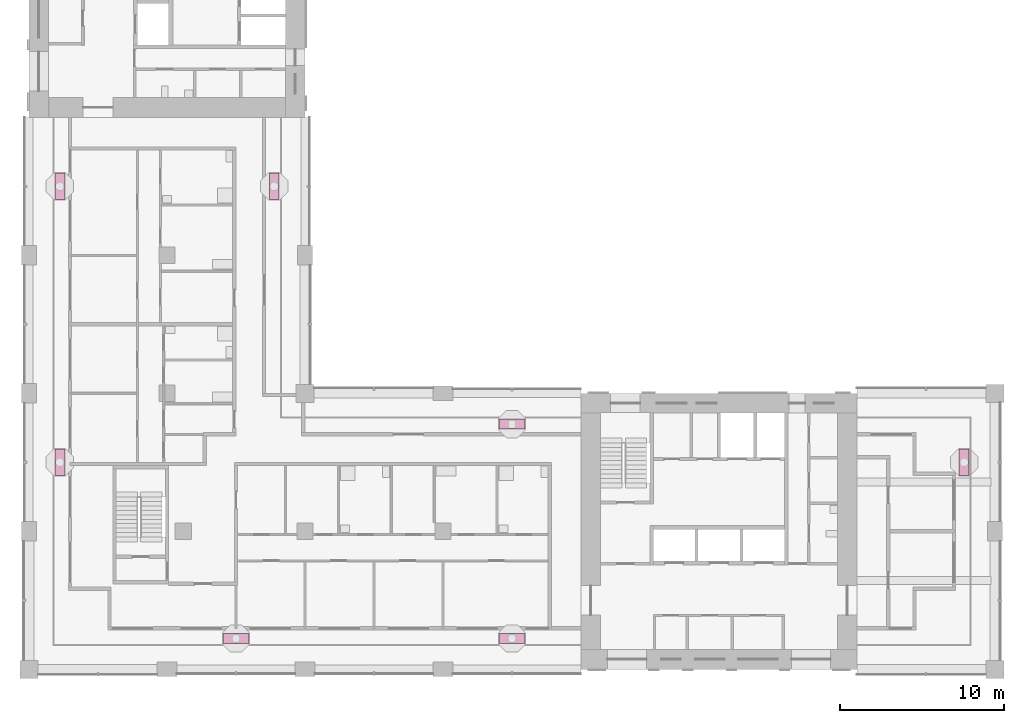
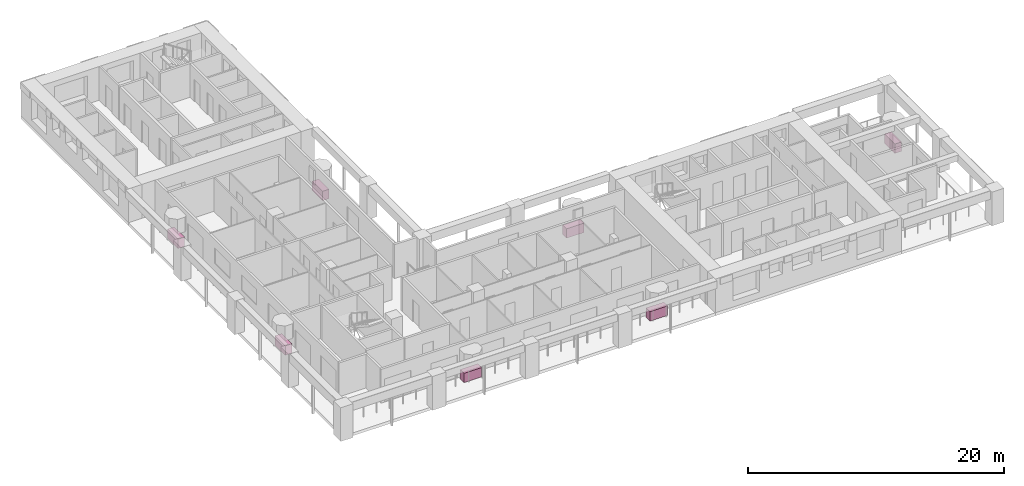
# One storey, part 12 of 13: 7 furniture elements.
"""IFC4 building model written with IfcOpenShell, lengths in metres."""

from ifc_helpers import new_model, si_unit, direction, frame, origin, origin_2d, place, context, subcontext, project, spatial, rectangle, extrude, material, element, save


model = new_model("IFC4")

# Units and contexts
model_context = context("Model", 3, precision=1e-05, world=origin(), true_north=direction((0.0, 1.0)))
body_context = subcontext(model_context, "Body", "Model", "MODEL_VIEW")
ifc_project = project(units=[si_unit("LENGTHUNIT", "METRE"), si_unit("AREAUNIT", "SQUARE_METRE"), si_unit("VOLUMEUNIT", "CUBIC_METRE"), si_unit("PLANEANGLEUNIT", "RADIAN"), si_unit("MASSUNIT", "GRAM", prefix="KILO")], contexts=[model_context])

# Site, building, storey
site_placement = place(None, origin())
site = spatial("IfcSite", under=ifc_project, at=site_placement, CompositionType="ELEMENT")
building_placement = place(site_placement, origin())
building = spatial("IfcBuilding", under=site, at=building_placement, Name="Vermilion Gate Residences", CompositionType="ELEMENT")
storey_placement = place(building_placement, frame((0.0, 0.0, 154.699951171875)))
storey = spatial("IfcBuildingStorey", under=building, at=storey_placement, Name="L39", CompositionType="ELEMENT", Elevation=154.699951171875)

# Furniture
ifc_material = material(Name="Terracotta planter", Category="masonry")
for number, where, z_axis, x_axis, name in (
    (1, (21.0, 10.27490234375, 0.0), (0.0, 0.0, 1.0), (1.0, 0.0, 0.0), "PLANTER"),
    (2, (37.800048828125, 10.27490234375, 0.0), (0.0, 0.0, 1.0), (1.0, 0.0, 0.0), "PLANTER"),
    (3, (65.324951171875, 21.0, 0.0), (0.0, 0.0, 1.0), (0.0, 1.0, 0.0), "PLANTER"),
    (4, (37.800048828125, 23.324951171875, 0.0), (0.0, 0.0, 1.0), (-1.0, 0.0, 0.0), "PLANTER"),
    (5, (23.324951171875, 37.800048828125, 0.0), (0.0, 0.0, 1.0), (0.0, 1.0, 0.0), "PLANTER"),
    (6, (10.27490234375, 21.0, 0.0), (0.0, 0.0, 1.0), (0.0, -1.0, 0.0), "PLANTER"),
    (7, (10.27490234375, 37.800048828125, 0.0), (0.0, 0.0, 1.0), (0.0, -1.0, 0.0), "PLANTER"),
):
    element("IfcFurniture", number, at=place(storey_placement, frame(where, z_axis=z_axis, x_axis=x_axis)), inside=storey, material=ifc_material, Name=name, ObjectType="PLANTER", PredefinedType="USERDEFINED", context=body_context, shape_type="SweptSolid", body=[
        extrude(rectangle(XDim=1.60009765625, YDim=0.60009765625, at=origin_2d()), origin(), (0.0, 0.0, 1.0), 0.89990234375),
    ])

save(model, "model.ifc")
